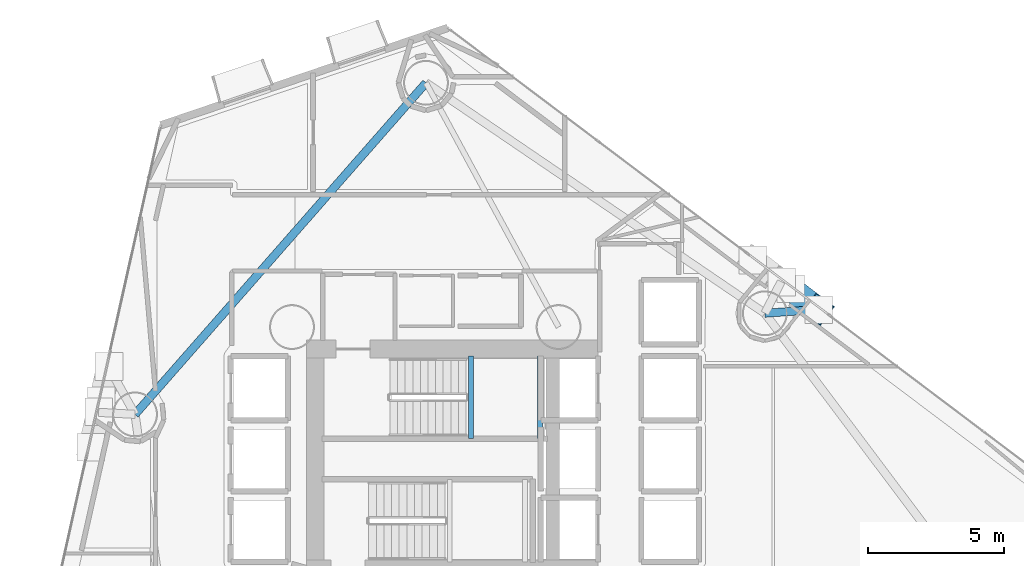
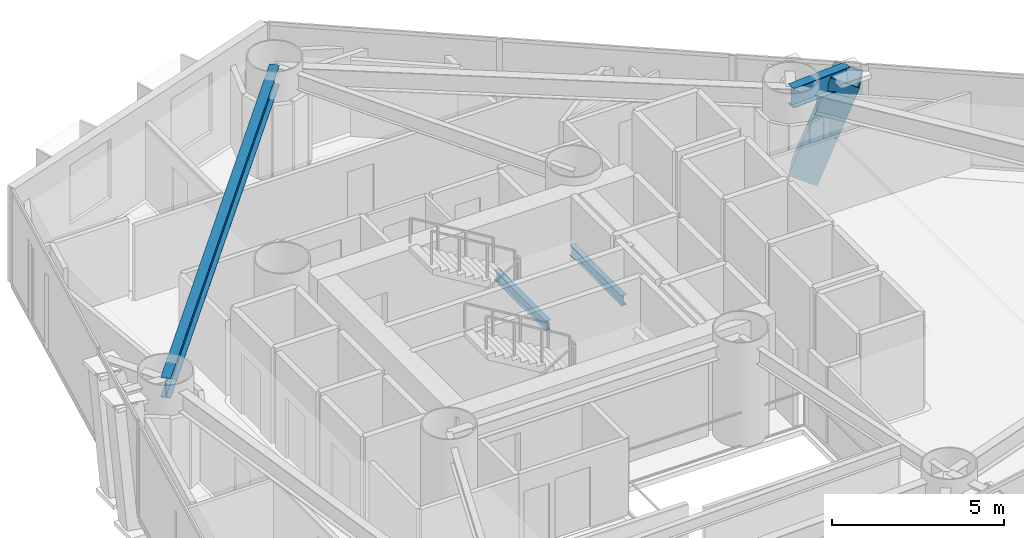
# One storey, part 7 of 22: 4 beams, 1 member.
"""IFC4 building model written with IfcOpenShell, lengths in metres."""

from ifc_helpers import new_model, si_unit, direction, frame, origin, origin_2d, place, context, subcontext, project, spatial, hollow_rectangle, i_section, extrude, material, material_profile, profile_set, type_object, element, save


model = new_model("IFC4")

# Units and contexts
model_context = context("Model", 3, precision=1e-05, world=origin(), true_north=direction((0.0, 1.0)))
body_context = subcontext(model_context, "Body", "Model", "MODEL_VIEW")
ifc_project = project(units=[si_unit("LENGTHUNIT", "METRE"), si_unit("AREAUNIT", "SQUARE_METRE"), si_unit("VOLUMEUNIT", "CUBIC_METRE"), si_unit("PLANEANGLEUNIT", "RADIAN"), si_unit("MASSUNIT", "GRAM", prefix="KILO")], contexts=[model_context])

# Site, building, storey
site_placement = place(None, origin())
site = spatial("IfcSite", under=ifc_project, at=site_placement, CompositionType="ELEMENT")
building_placement = place(site_placement, origin())
building = spatial("IfcBuilding", under=site, at=building_placement, Name="Qianvela Tower", CompositionType="ELEMENT")
storey_placement = place(building_placement, frame((0.0, 0.0, 89.5)))
storey = spatial("IfcBuildingStorey", under=building, at=storey_placement, Name="L22", CompositionType="ELEMENT", Elevation=89.5)

# Beams
ifc_material_1 = material(Name="Steel Q355B", Category="steel")
ifc_material_profile_1 = material_profile(ifc_material_1, i_section(OverallWidth=0.175048828125, OverallDepth=0.35009765625, WebThickness=0.007080078125, FlangeThickness=0.010986328125, at=origin_2d()), Name="HN350x175x7x11")
ifc_profile_set_1 = profile_set([ifc_material_profile_1], Name="Steel Q355B")
beam_type_1 = type_object("IfcBeamType", Name="BM-HN350-JOIST", PredefinedType="JOIST", material=ifc_profile_set_1)
for number, where, z_axis, x_axis, name in (
    (1, (35.179931640625, 29.4599609375, 1.47509765625), (0.0, 1.0, 0.0), (-1.0, 0.0, 0.0), "L22 Stair ST-1 Landing Support Beam 1.1"),
    (2, (37.719970703125, 29.4599609375, 1.47509765625), (0.0, 1.0, 0.0), (-1.0, 0.0, 0.0), "L22 Stair ST-1 Landing Support Beam 1.2"),
):
    element("IfcBeam", number, at=place(storey_placement, frame(where, z_axis=z_axis, x_axis=x_axis)), inside=storey, type_object=beam_type_1, Name=name, PredefinedType="JOIST", context=body_context, shape_type="SweptSolid", body=[
        extrude(i_section(OverallWidth=0.175048828125, OverallDepth=0.35009765625, WebThickness=0.007080078125, FlangeThickness=0.010986328125, at=origin_2d()), origin(), (0.0, 0.0, 1.0), 3.02001953125),
    ])
ifc_material_2 = material(Name="Steel Q355B", Category="steel")
ifc_material_profile_2 = material_profile(ifc_material_2, i_section(OverallWidth=0.300048828125, OverallDepth=0.699951171875, WebThickness=0.012939453125, FlangeThickness=0.02392578125, at=origin_2d()), Name="HN700x300x13x24")
ifc_profile_set_2 = profile_set([ifc_material_profile_2], Name="Steel Q355B")
beam_type_2 = type_object("IfcBeamType", Name="BM-HN700-SPAND", PredefinedType="SPANDREL", material=ifc_profile_set_2)
beam_1_placement = place(storey_placement, frame((45.98388671875, 34.056884765625, 3.048095703125), z_axis=(0.997459329784, 0.071238230098, 0.0), x_axis=(-0.071238230098, 0.997459329784, 0.0)))
element("IfcBeam", 3, at=beam_1_placement, inside=storey, type_object=beam_type_2, Name="L22 Mega-Brace Column Tie Bracket F1-1", PredefinedType="SPANDREL", context=body_context, shape_type="SweptSolid", body=[
    extrude(i_section(OverallWidth=0.300048828125, OverallDepth=0.699951171875, WebThickness=0.012939453125, FlangeThickness=0.02392578125, at=origin_2d()), origin(), (0.0, 0.0, 1.0), 1.967041015625),
])
beam_2_placement = place(storey_placement, frame((33.52587890625, 42.529052734375, 3.048095703125), z_axis=(-0.659601693124, -0.751615331422, 0.0), x_axis=(0.751615331422, -0.659601693124, 0.0)))
element("IfcBeam", 4, at=beam_2_placement, inside=storey, type_object=beam_type_2, Name="L22 Perimeter Ring Spandrel Girder 3", PredefinedType="SPANDREL", context=body_context, shape_type="SweptSolid", body=[
    extrude(i_section(OverallWidth=0.300048828125, OverallDepth=0.699951171875, WebThickness=0.012939453125, FlangeThickness=0.02392578125, at=origin_2d()), origin(), (0.0, 0.0, 1.0), 16.217041015625),
])

# Member
ifc_material_3 = material(Name="Steel Q420GJC", Category="steel")
ifc_material_profile_3 = material_profile(ifc_material_3, hollow_rectangle(XDim=0.89990234375, YDim=0.89990234375, WallThickness=0.035888671875, at=origin_2d()), Name="MBOX-900x900x36")
ifc_profile_set_3 = profile_set([ifc_material_profile_3], Name="Steel Q420GJC")
member_type = type_object("IfcMemberType", Name="MBR-MBRACE-900", PredefinedType="BRACE", material=ifc_profile_set_3)
member_placement = place(storey_placement, frame((46.954833984375, 34.943603515625, -0.531982421875), z_axis=(0.261599317442, -0.197037121364, 0.944850342604), x_axis=(0.601635633651, 0.79877065815, 0.0)))
element("IfcMember", 5, at=member_placement, inside=storey, type_object=member_type, Name="L22 Tier 3 Exterior Mega-Brace F1A", PredefinedType="BRACE", context=body_context, shape_type="SweptSolid", body=[
    extrude(hollow_rectangle(XDim=0.89990234375, YDim=0.89990234375, WallThickness=0.035888671875, at=origin_2d()), origin(), (0.0, 0.0, 1.0), 3.7890625),
])

save(model, "model.ifc")
